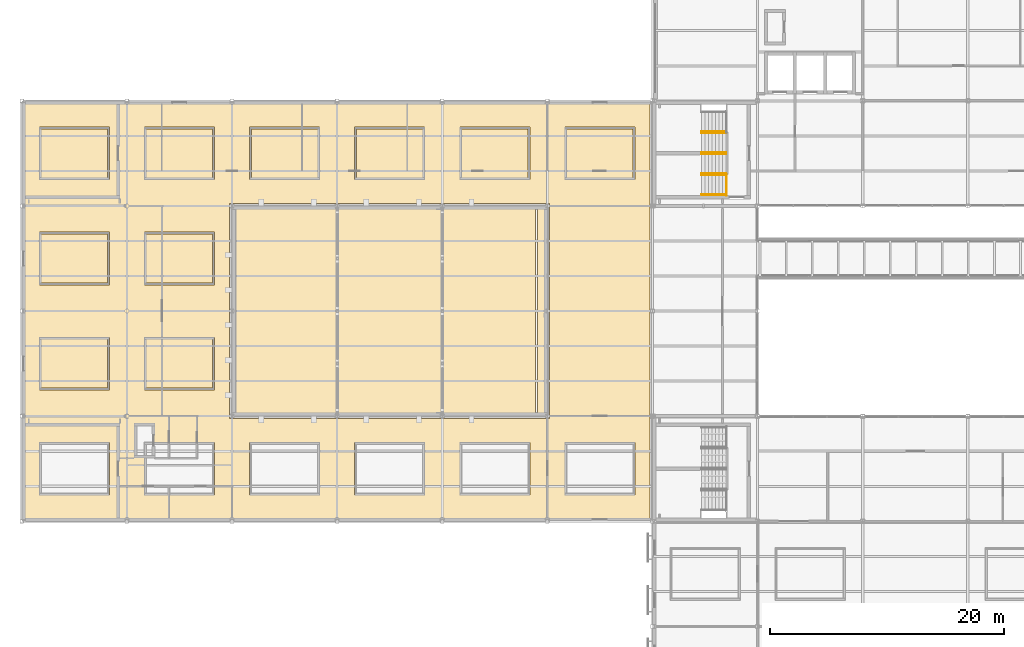
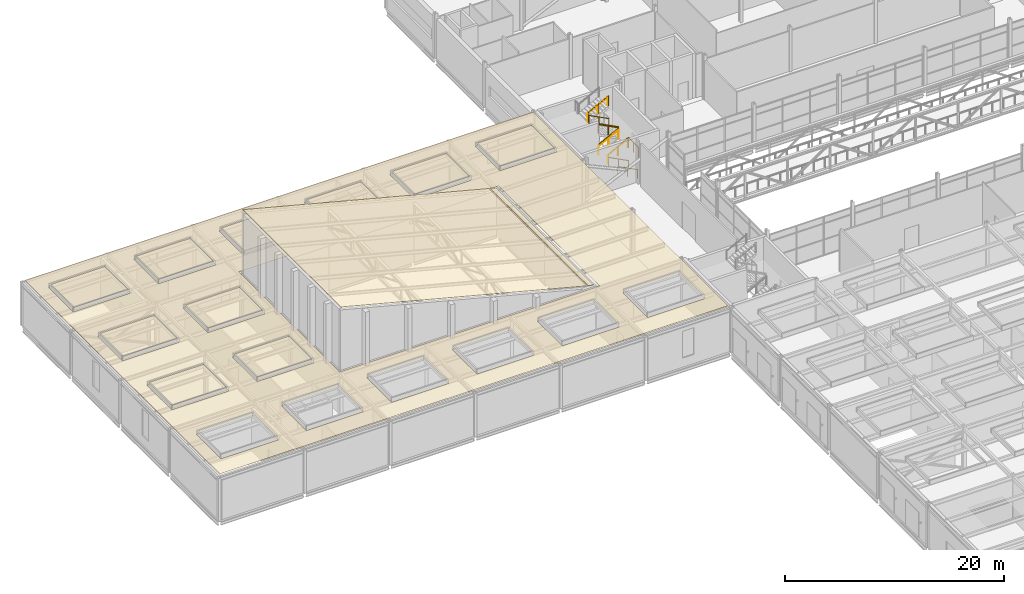
# One storey, part 112 of 115: 13 coverings, 12 railings.
"""IFC4 building model written with IfcOpenShell, lengths in metres."""

from ifc_helpers import new_model, si_unit, direction, frame, origin, origin_2d, place, context, subcontext, project, spatial, polyline, circle, outline, extrude, material, layer, layer_set, type_object, element, save


model = new_model("IFC4")

# Units and contexts
model_context = context("Model", 3, precision=1e-05, world=origin(), true_north=direction((0.0, 1.0)))
body_context = subcontext(model_context, "Body", "Model", "MODEL_VIEW")
ifc_project = project(units=[si_unit("LENGTHUNIT", "METRE"), si_unit("AREAUNIT", "SQUARE_METRE"), si_unit("VOLUMEUNIT", "CUBIC_METRE"), si_unit("PLANEANGLEUNIT", "RADIAN"), si_unit("MASSUNIT", "GRAM", prefix="KILO")], contexts=[model_context])

# Site, building, storey
site_placement = place(None, origin())
site = spatial("IfcSite", under=ifc_project, at=site_placement, CompositionType="ELEMENT")
building_placement = place(site_placement, origin())
building = spatial("IfcBuilding", under=site, at=building_placement, Name="Shorebreak Coast Museum", CompositionType="ELEMENT")
storey_placement = place(building_placement, frame((0.0, 0.0, 11.0)))
storey = spatial("IfcBuildingStorey", under=building, at=storey_placement, Name="L02", CompositionType="ELEMENT", Elevation=11.0)

# Coverings
ifc_material_1 = material(Name="Concrete paving", Category="concrete")
ifc_layer_1 = layer(ifc_material_1, 0.030029296875)
ifc_layer_set_1 = layer_set([ifc_layer_1], Name="Concrete paving")
covering_type_1 = type_object("IfcCoveringType", Name="Roof garden paving 30", PredefinedType="FLOORING", material=ifc_layer_set_1)
covering_1_placement = place(storey_placement, frame((0.0, 0.0, 5.0)))
element("IfcCovering", 1, at=covering_1_placement, inside=storey, type_object=covering_type_1, Name="Roof garden paving WDECK-S 1", PredefinedType="FLOORING", context=body_context, shape_type="SweptSolid", body=[
    extrude(outline(polyline([(0.199951171875, 54.199951171875), (0.199951171875, 89.800048828125), (53.800048828125, 89.800048828125), (53.800048828125, 54.199951171875), (0.199951171875, 54.199951171875)]), holes=[polyline([(45.199951171875, 81.199951171875), (17.800048828125, 81.199951171875), (17.800048828125, 62.800048828125), (45.199951171875, 62.800048828125), (45.199951171875, 81.199951171875)]), polyline([(7.5, 60.75), (1.5, 60.75), (1.5, 56.25), (7.5, 56.25), (7.5, 60.75)]), polyline([(16.5, 60.75), (10.5, 60.75), (10.5, 56.25), (16.5, 56.25), (16.5, 60.75)]), polyline([(25.5, 60.75), (19.5, 60.75), (19.5, 56.25), (25.5, 56.25), (25.5, 60.75)]), polyline([(7.5, 69.75), (1.5, 69.75), (1.5, 65.25), (7.5, 65.25), (7.5, 69.75)]), polyline([(16.5, 69.75), (10.5, 69.75), (10.5, 65.25), (16.5, 65.25), (16.5, 69.75)]), polyline([(7.5, 78.75), (1.5, 78.75), (1.5, 74.25), (7.5, 74.25), (7.5, 78.75)]), polyline([(16.5, 78.75), (10.5, 78.75), (10.5, 74.25), (16.5, 74.25), (16.5, 78.75)]), polyline([(7.5, 87.75), (1.5, 87.75), (1.5, 83.25), (7.5, 83.25), (7.5, 87.75)]), polyline([(16.5, 87.75), (10.5, 87.75), (10.5, 83.25), (16.5, 83.25), (16.5, 87.75)]), polyline([(34.5, 60.75), (28.5, 60.75), (28.5, 56.25), (34.5, 56.25), (34.5, 60.75)]), polyline([(43.5, 60.75), (37.5, 60.75), (37.5, 56.25), (43.5, 56.25), (43.5, 60.75)]), polyline([(52.5, 60.75), (46.5, 60.75), (46.5, 56.25), (52.5, 56.25), (52.5, 60.75)]), polyline([(25.5, 87.75), (19.5, 87.75), (19.5, 83.25), (25.5, 83.25), (25.5, 87.75)]), polyline([(34.5, 87.75), (28.5, 87.75), (28.5, 83.25), (34.5, 83.25), (34.5, 87.75)]), polyline([(43.5, 83.25), (43.5, 87.75), (37.5, 87.75), (37.5, 83.25), (43.5, 83.25)]), polyline([(52.5, 83.25), (52.5, 87.75), (46.5, 87.75), (46.5, 83.25), (52.5, 83.25)])]), origin(), (0.0, 0.0, 1.0), 0.030029296875),
])
ifc_material_2 = material(Name="Growing medium")
ifc_layer_2 = layer(ifc_material_2, 0.39990234375)
ifc_layer_set_2 = layer_set([ifc_layer_2], Name="Growing medium")
covering_type_2 = type_object("IfcCoveringType", Name="Roof garden planting 400", PredefinedType="FLOORING", material=ifc_layer_set_2)
covering_2_placement = place(storey_placement, frame((0.0, 0.0, 5.0)))
element("IfcCovering", 2, at=covering_2_placement, inside=storey, type_object=covering_type_2, Name="Roof garden planting", PredefinedType="FLOORING", context=body_context, shape_type="SweptSolid", body=[
    extrude(outline(polyline([(7.35009765625, 65.39990234375), (7.35009765625, 69.60009765625), (1.64990234375, 69.60009765625), (1.64990234375, 65.39990234375), (7.35009765625, 65.39990234375)])), origin(), (0.0, 0.0, 1.0), 0.39990234375),
])
covering_3_placement = place(storey_placement, frame((0.0, 0.0, 5.0)))
element("IfcCovering", 3, at=covering_3_placement, inside=storey, type_object=covering_type_2, Name="Roof garden planting", PredefinedType="FLOORING", context=body_context, shape_type="SweptSolid", body=[
    extrude(outline(polyline([(16.35009765625, 65.39990234375), (16.35009765625, 69.60009765625), (10.64990234375, 69.60009765625), (10.64990234375, 65.39990234375), (16.35009765625, 65.39990234375)])), origin(), (0.0, 0.0, 1.0), 0.39990234375),
])
covering_4_placement = place(storey_placement, frame((0.0, 0.0, 5.0)))
element("IfcCovering", 4, at=covering_4_placement, inside=storey, type_object=covering_type_2, Name="Roof garden planting", PredefinedType="FLOORING", context=body_context, shape_type="SweptSolid", body=[
    extrude(outline(polyline([(7.35009765625, 74.39990234375), (7.35009765625, 78.60009765625), (1.64990234375, 78.60009765625), (1.64990234375, 74.39990234375), (7.35009765625, 74.39990234375)])), origin(), (0.0, 0.0, 1.0), 0.39990234375),
])
covering_5_placement = place(storey_placement, frame((0.0, 0.0, 5.0)))
element("IfcCovering", 5, at=covering_5_placement, inside=storey, type_object=covering_type_2, Name="Roof garden planting", PredefinedType="FLOORING", context=body_context, shape_type="SweptSolid", body=[
    extrude(outline(polyline([(16.35009765625, 74.39990234375), (16.35009765625, 78.60009765625), (10.64990234375, 78.60009765625), (10.64990234375, 74.39990234375), (16.35009765625, 74.39990234375)])), origin(), (0.0, 0.0, 1.0), 0.39990234375),
])
covering_6_placement = place(storey_placement, frame((0.0, 0.0, 5.0)))
element("IfcCovering", 6, at=covering_6_placement, inside=storey, type_object=covering_type_2, Name="Roof garden planting", PredefinedType="FLOORING", context=body_context, shape_type="SweptSolid", body=[
    extrude(outline(polyline([(7.35009765625, 83.39990234375), (7.35009765625, 87.60009765625), (1.64990234375, 87.60009765625), (1.64990234375, 83.39990234375), (7.35009765625, 83.39990234375)])), origin(), (0.0, 0.0, 1.0), 0.39990234375),
])
covering_7_placement = place(storey_placement, frame((0.0, 0.0, 5.0)))
element("IfcCovering", 7, at=covering_7_placement, inside=storey, type_object=covering_type_2, Name="Roof garden planting", PredefinedType="FLOORING", context=body_context, shape_type="SweptSolid", body=[
    extrude(outline(polyline([(16.35009765625, 83.39990234375), (16.35009765625, 87.60009765625), (10.64990234375, 87.60009765625), (10.64990234375, 83.39990234375), (16.35009765625, 83.39990234375)])), origin(), (0.0, 0.0, 1.0), 0.39990234375),
])
covering_8_placement = place(storey_placement, frame((0.0, 0.0, 5.0)))
element("IfcCovering", 8, at=covering_8_placement, inside=storey, type_object=covering_type_2, Name="Roof garden planting", PredefinedType="FLOORING", context=body_context, shape_type="SweptSolid", body=[
    extrude(outline(polyline([(25.35009765625, 83.39990234375), (25.35009765625, 87.60009765625), (19.64990234375, 87.60009765625), (19.64990234375, 83.39990234375), (25.35009765625, 83.39990234375)])), origin(), (0.0, 0.0, 1.0), 0.39990234375),
])
covering_9_placement = place(storey_placement, frame((0.0, 0.0, 5.0)))
element("IfcCovering", 9, at=covering_9_placement, inside=storey, type_object=covering_type_2, Name="Roof garden planting", PredefinedType="FLOORING", context=body_context, shape_type="SweptSolid", body=[
    extrude(outline(polyline([(34.35009765625, 83.39990234375), (34.35009765625, 87.60009765625), (28.64990234375, 87.60009765625), (28.64990234375, 83.39990234375), (34.35009765625, 83.39990234375)])), origin(), (0.0, 0.0, 1.0), 0.39990234375),
])
covering_10_placement = place(storey_placement, frame((0.0, 0.0, 5.0)))
element("IfcCovering", 10, at=covering_10_placement, inside=storey, type_object=covering_type_2, Name="Roof garden planting", PredefinedType="FLOORING", context=body_context, shape_type="SweptSolid", body=[
    extrude(outline(polyline([(43.35009765625, 83.39990234375), (43.35009765625, 87.60009765625), (37.64990234375, 87.60009765625), (37.64990234375, 83.39990234375), (43.35009765625, 83.39990234375)])), origin(), (0.0, 0.0, 1.0), 0.39990234375),
])
covering_11_placement = place(storey_placement, frame((0.0, 0.0, 5.0)))
element("IfcCovering", 11, at=covering_11_placement, inside=storey, type_object=covering_type_2, Name="Roof garden planting", PredefinedType="FLOORING", context=body_context, shape_type="SweptSolid", body=[
    extrude(outline(polyline([(52.35009765625, 83.39990234375), (52.35009765625, 87.60009765625), (46.64990234375, 87.60009765625), (46.64990234375, 83.39990234375), (52.35009765625, 83.39990234375)])), origin(), (0.0, 0.0, 1.0), 0.39990234375),
])

# Railings
ifc_material_3 = material(Name="Steel Grade 300", Category="steel")
railing_type_1 = type_object("IfcRailingType", Name="Stair guard 1100", PredefinedType="GUARDRAIL", material=ifc_material_3)
railing_1_placement = place(storey_placement, frame((60.35009765625, 81.89990234375, 2.5)))
element("IfcRailing", 12, at=railing_1_placement, inside=storey, type_object=railing_type_1, Name="Guard ST03 L02 landing mid1", PredefinedType="GUARDRAIL", context=body_context, shape_type="SweptSolid", body=[
    extrude(circle(Radius=0.02490234375, at=origin_2d()), frame((0.0, 0.0, 1.0751953125), z_axis=(0.0, 1.0, 0.0), x_axis=(-1.0, 0.0, 0.0)), (0.0, 0.0, 1.0), 1.800048828125),
    extrude(circle(Radius=0.02001953125, at=origin_2d()), origin(), (0.0, 0.0, 1.0), 1.050048828125),
    extrude(circle(Radius=0.02001953125, at=origin_2d()), frame((0.0, 0.89990234375, 0.0)), (0.0, 0.0, 1.0), 1.050048828125),
    extrude(circle(Radius=0.02001953125, at=origin_2d()), frame((0.0, 1.800048828125, 0.0)), (0.0, 0.0, 1.0), 1.050048828125),
])
for number, where, name in (
    (13, (58.199951171875, 83.699951171875, 1.40625), "Guard ST03-L02 well 1"),
    (14, (58.199951171875, 87.300048828125, 3.90625), "Guard ST03-L02 well 2"),
    (15, (58.199951171875, 85.5, 1.40625), "Guard ST03-L02 side 1"),
):
    element("IfcRailing", number, at=place(storey_placement, frame(where)), inside=storey, type_object=railing_type_1, Name=name, PredefinedType="GUARDRAIL", context=body_context, shape_type="SweptSolid", body=[
        extrude(circle(Radius=0.02490234375, at=origin_2d()), frame((0.0, 0.0, 1.0751953125), z_axis=(0.8869228845, 0.0, 0.461917521804), x_axis=(0.0, 1.0, 0.0)), (0.0, 0.0, 1.0), 2.367919921875),
        extrude(circle(Radius=0.02001953125, at=origin_2d()), origin(), (0.0, 0.0, 1.0), 1.050048828125),
        extrude(circle(Radius=0.02001953125, at=origin_2d()), frame((1.050048828125, 0.0, 0.546875)), (0.0, 0.0, 1.0), 1.050048828125),
        extrude(circle(Radius=0.02001953125, at=origin_2d()), frame((2.10009765625, 0.0, 1.09375)), (0.0, 0.0, 1.0), 1.050048828125),
    ])
railing_2_placement = place(storey_placement, frame((60.300048828125, 85.5, 2.65625)))
element("IfcRailing", 16, at=railing_2_placement, inside=storey, type_object=railing_type_1, Name="Guard ST03-L02 side 2", PredefinedType="GUARDRAIL", context=body_context, shape_type="SweptSolid", body=[
    extrude(circle(Radius=0.02490234375, at=origin_2d()), frame((0.0, 0.0, 1.0751953125), z_axis=(-0.8869228845, 0.0, 0.461917521804), x_axis=(0.0, -1.0, 0.0)), (0.0, 0.0, 1.0), 2.367919921875),
    extrude(circle(Radius=0.02001953125, at=origin_2d()), origin(), (0.0, 0.0, 1.0), 1.050048828125),
    extrude(circle(Radius=0.02001953125, at=origin_2d()), frame((-1.050048828125, 0.0, 0.546875)), (0.0, 0.0, 1.0), 1.050048828125),
    extrude(circle(Radius=0.02001953125, at=origin_2d()), frame((-2.10009765625, 0.0, 1.09375)), (0.0, 0.0, 1.0), 1.050048828125),
])
ifc_material_4 = material(Name="Steel Grade 300", Category="steel")
railing_type_2 = type_object("IfcRailingType", Name="Stair handrail 950", PredefinedType="HANDRAIL", material=ifc_material_4)
for number, where, name in (
    (17, (60.300048828125, 81.9599609375, 0.15625), "Handrail ST03-L02 flight 1a"),
    (18, (60.300048828125, 83.639892578125, 0.15625), "Handrail ST03-L02 flight 1b"),
):
    element("IfcRailing", number, at=place(storey_placement, frame(where)), inside=storey, type_object=railing_type_2, Name=name, PredefinedType="HANDRAIL", context=body_context, shape_type="SweptSolid", body=[
        extrude(circle(Radius=0.02490234375, at=origin_2d()), frame((0.0, 0.0, 0.9248046875), z_axis=(-0.8869228845, 0.0, 0.461917521804), x_axis=(0.0, -1.0, 0.0)), (0.0, 0.0, 1.0), 2.367919921875),
        extrude(circle(Radius=0.02001953125, at=origin_2d()), origin(), (0.0, 0.0, 1.0), 0.89990234375),
        extrude(circle(Radius=0.02001953125, at=origin_2d()), frame((-1.050048828125, 0.0, 0.546875)), (0.0, 0.0, 1.0), 0.89990234375),
        extrude(circle(Radius=0.02001953125, at=origin_2d()), frame((-2.10009765625, 0.0, 1.09375)), (0.0, 0.0, 1.0), 0.89990234375),
    ])
for number, where, name in (
    (19, (58.199951171875, 83.760009765625, 1.40625), "Handrail ST03-L02 flight 2a"),
    (20, (58.199951171875, 85.43994140625, 1.40625), "Handrail ST03-L02 flight 2b"),
):
    element("IfcRailing", number, at=place(storey_placement, frame(where)), inside=storey, type_object=railing_type_2, Name=name, PredefinedType="HANDRAIL", context=body_context, shape_type="SweptSolid", body=[
        extrude(circle(Radius=0.02490234375, at=origin_2d()), frame((0.0, 0.0, 0.9248046875), z_axis=(0.8869228845, 0.0, 0.461917521804), x_axis=(0.0, 1.0, 0.0)), (0.0, 0.0, 1.0), 2.367919921875),
        extrude(circle(Radius=0.02001953125, at=origin_2d()), origin(), (0.0, 0.0, 1.0), 0.89990234375),
        extrude(circle(Radius=0.02001953125, at=origin_2d()), frame((1.050048828125, 0.0, 0.546875)), (0.0, 0.0, 1.0), 0.89990234375),
        extrude(circle(Radius=0.02001953125, at=origin_2d()), frame((2.10009765625, 0.0, 1.09375)), (0.0, 0.0, 1.0), 0.89990234375),
    ])
for number, where, name in (
    (21, (60.300048828125, 85.56005859375, 2.65625), "Handrail ST03-L02 flight 3a"),
    (22, (60.300048828125, 87.239990234375, 2.65625), "Handrail ST03-L02 flight 3b"),
):
    element("IfcRailing", number, at=place(storey_placement, frame(where)), inside=storey, type_object=railing_type_2, Name=name, PredefinedType="HANDRAIL", context=body_context, shape_type="SweptSolid", body=[
        extrude(circle(Radius=0.02490234375, at=origin_2d()), frame((0.0, 0.0, 0.9248046875), z_axis=(-0.8869228845, 0.0, 0.461917521804), x_axis=(0.0, -1.0, 0.0)), (0.0, 0.0, 1.0), 2.367919921875),
        extrude(circle(Radius=0.02001953125, at=origin_2d()), origin(), (0.0, 0.0, 1.0), 0.89990234375),
        extrude(circle(Radius=0.02001953125, at=origin_2d()), frame((-1.050048828125, 0.0, 0.546875)), (0.0, 0.0, 1.0), 0.89990234375),
        extrude(circle(Radius=0.02001953125, at=origin_2d()), frame((-2.10009765625, 0.0, 1.09375)), (0.0, 0.0, 1.0), 0.89990234375),
    ])
railing_3_placement = place(storey_placement, frame((58.199951171875, 87.360107421875, 3.90625)))
element("IfcRailing", 23, at=railing_3_placement, inside=storey, type_object=railing_type_2, Name="Handrail ST03-L02 flight 4a", PredefinedType="HANDRAIL", context=body_context, shape_type="SweptSolid", body=[
    extrude(circle(Radius=0.02490234375, at=origin_2d()), frame((0.0, 0.0, 0.9248046875), z_axis=(0.8869228845, 0.0, 0.461917521804), x_axis=(0.0, 1.0, 0.0)), (0.0, 0.0, 1.0), 2.367919921875),
    extrude(circle(Radius=0.02001953125, at=origin_2d()), origin(), (0.0, 0.0, 1.0), 0.89990234375),
    extrude(circle(Radius=0.02001953125, at=origin_2d()), frame((1.050048828125, 0.0, 0.546875)), (0.0, 0.0, 1.0), 0.89990234375),
    extrude(circle(Radius=0.02001953125, at=origin_2d()), frame((2.10009765625, 0.0, 1.09375)), (0.0, 0.0, 1.0), 0.89990234375),
])

# Coverings
ifc_material_5 = material(Name="Aluminium", Category="aluminium")
ifc_layer_3 = layer(ifc_material_5, 0.06005859375)
ifc_layer_set_3 = layer_set([ifc_layer_3], Name="Aluminium")
covering_type_3 = type_object("IfcCoveringType", Name="Valley gutter lining 60", PredefinedType="MEMBRANE", material=ifc_layer_set_3)
covering_12_placement = place(storey_placement, frame((44.14990234375, 63.050048828125, 5.282470703125), z_axis=(0.251235470685, 0.0, 0.967925998344), x_axis=(0.967925998344, 0.0, -0.251235470685)))
element("IfcCovering", 24, at=covering_12_placement, inside=storey, type_object=covering_type_3, Name="Shell gutter lining", PredefinedType="MEMBRANE", context=body_context, shape_type="SweptSolid", body=[
    extrude(outline(polyline([(0.0, 0.0), (0.6199829917543684, 0.0), (0.6199829917543684, 17.89990234375), (0.0, 17.89990234375), (0.0, 0.0)])), origin(), (0.0, 0.0, -1.0), 0.06005859375),
])
ifc_material_6 = material(Name="Zinc")
ifc_layer_4 = layer(ifc_material_6, 0.0400390625)
ifc_layer_set_4 = layer_set([ifc_layer_4], Name="Zinc")
covering_type_4 = type_object("IfcCoveringType", Name="Zinc standing-seam finish 40", PredefinedType="ROOFING", material=ifc_layer_set_4)
covering_13_placement = place(storey_placement, frame((18.050048828125, 63.050048828125, 12.0283203125), z_axis=(0.250962790892, 0.0, 0.967996734286), x_axis=(0.967996734286, 0.0, -0.250962790892)))
element("IfcCovering", 25, at=covering_13_placement, inside=storey, type_object=covering_type_4, Name="Shell zinc finish", PredefinedType="ROOFING", context=body_context, shape_type="SweptSolid", body=[
    extrude(outline(polyline([(0.0, 0.0), (26.80789123841985, 0.0), (26.80789123841985, 17.89990234375), (0.0, 17.89990234375), (0.0, 0.0)])), origin(), (0.0, 0.0, -1.0), 0.0400390625),
])

save(model, "model.ifc")
